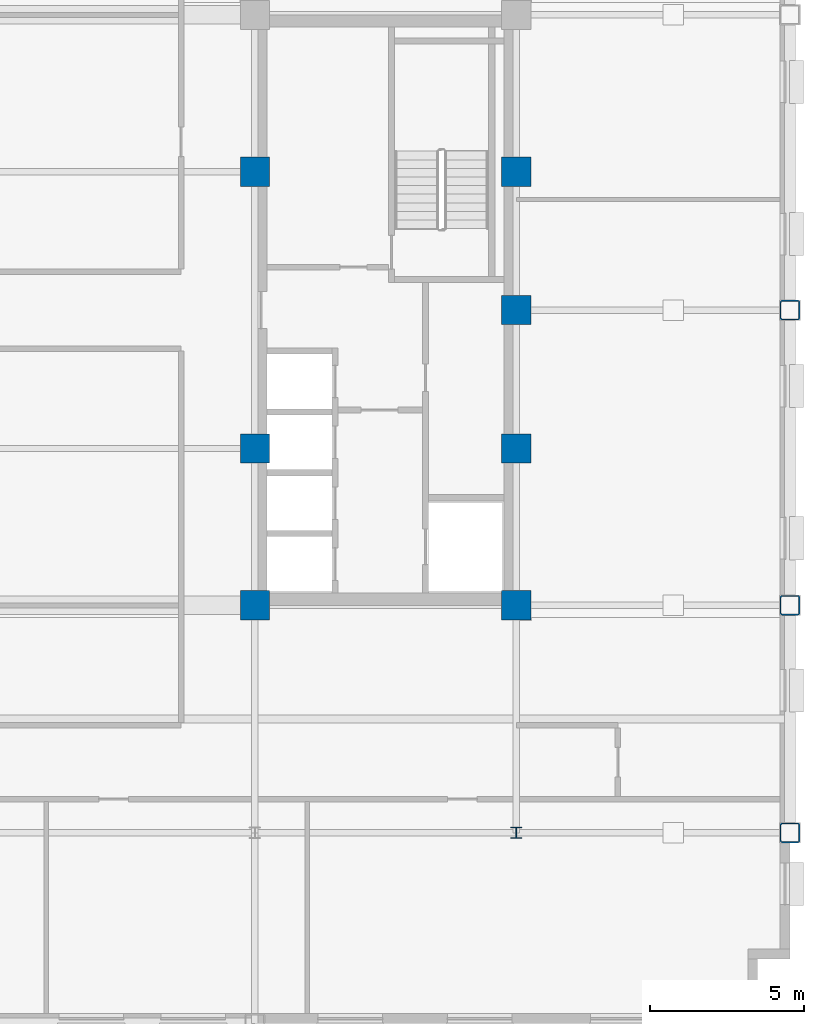
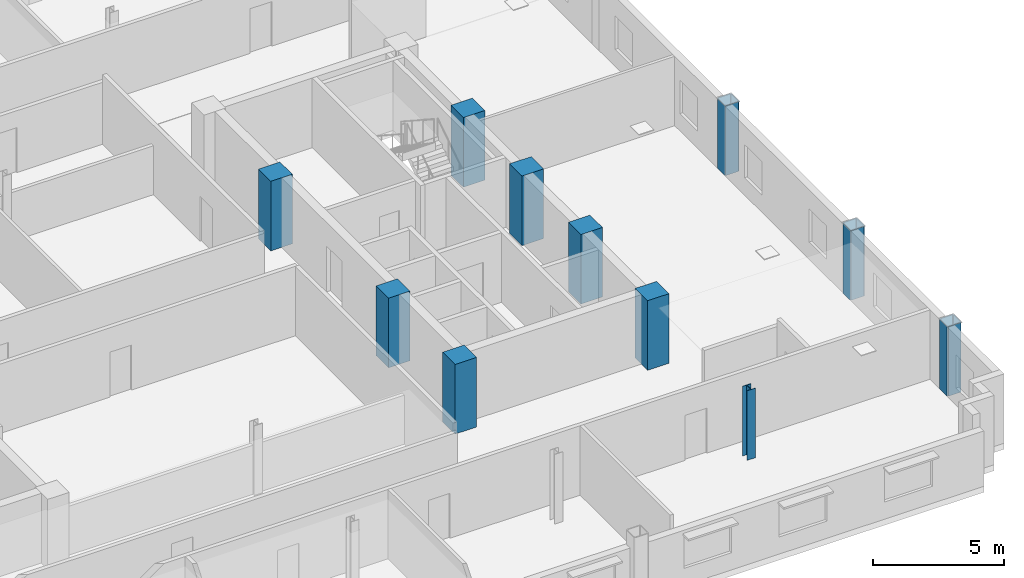
# One storey, part 2 of 14: 11 columns.
"""IFC4 building model written with IfcOpenShell, lengths in metres."""

from ifc_helpers import new_model, si_unit, direction, frame, origin, origin_2d, place, context, subcontext, project, spatial, rectangle, hollow_rectangle, i_section, extrude, material, material_profile, profile_set, type_object, element, save


model = new_model("IFC4")

# Units and contexts
model_context = context("Model", 3, precision=1e-05, world=origin(), true_north=direction((0.0, 1.0)))
body_context = subcontext(model_context, "Body", "Model", "MODEL_VIEW")
ifc_project = project(units=[si_unit("LENGTHUNIT", "METRE"), si_unit("AREAUNIT", "SQUARE_METRE"), si_unit("VOLUMEUNIT", "CUBIC_METRE"), si_unit("PLANEANGLEUNIT", "RADIAN"), si_unit("MASSUNIT", "GRAM", prefix="KILO")], contexts=[model_context])

# Site, building, storey
site_placement = place(None, origin())
site = spatial("IfcSite", under=ifc_project, at=site_placement, CompositionType="ELEMENT")
building_placement = place(site_placement, origin())
building = spatial("IfcBuilding", under=site, at=building_placement, Name="Nuvemarco Arch Tower", CompositionType="ELEMENT")
storey_placement = place(building_placement, frame((0.0, 0.0, 164.0)))
storey = spatial("IfcBuildingStorey", under=building, at=storey_placement, Name="L43", CompositionType="ELEMENT", Elevation=164.0)

# Columns
ifc_material_1 = material(Name="Concrete C50/60", Category="concrete")
ifc_material_profile_1 = material_profile(ifc_material_1, rectangle(XDim=0.949951171875, YDim=0.949951171875, at=origin_2d()), Name="RC-COL-950x950")
ifc_profile_set_1 = profile_set([ifc_material_profile_1], Name="Concrete C50/60")
column_type_1 = type_object("IfcColumnType", Name="COL-CORE-950", PredefinedType="COLUMN", material=ifc_profile_set_1)
for number, where, z_axis, x_axis, name in (
    (1, (9.0, -9.60009765625, 0.0), (0.0, 0.0, 1.0), (1.0, 0.0, 0.0), "L43 column CC_+9.0_-9.6"),
    (2, (9.0, -4.5, 0.0), (0.0, 0.0, 1.0), (1.0, 0.0, 0.0), "L43 column CC_+9.0_-4.5"),
    (3, (9.0, 4.5, 0.0), (0.0, 0.0, 1.0), (1.0, 0.0, 0.0), "L43 column CC_+9.0_+4.5"),
    (4, (17.5, -9.60009765625, 0.0), (0.0, 0.0, 1.0), (1.0, 0.0, 0.0), "L43 column CC_+17.5_-9.6"),
    (5, (17.5, -4.5, 0.0), (0.0, 0.0, 1.0), (1.0, 0.0, 0.0), "L43 column CC_+17.5_-4.5"),
    (6, (17.5, 4.5, 0.0), (0.0, 0.0, 1.0), (1.0, 0.0, 0.0), "L43 column CC_+17.5_+4.5"),
    (7, (17.5, 0.0, 0.0), (0.0, 0.0, 1.0), (1.0, 0.0, 0.0), "L43 column CC_+17.5_+0.0"),
):
    element("IfcColumn", number, at=place(storey_placement, frame(where, z_axis=z_axis, x_axis=x_axis)), inside=storey, type_object=column_type_1, Name=name, PredefinedType="COLUMN", context=body_context, shape_type="SweptSolid", body=[
        extrude(rectangle(XDim=0.949951171875, YDim=0.949951171875, at=origin_2d()), origin(), (0.0, 0.0, 1.0), 3.25),
    ])
ifc_material_2 = material(Name="Steel S355", Category="steel")
ifc_material_profile_2 = material_profile(ifc_material_2, hollow_rectangle(XDim=0.64990234375, YDim=0.64990234375, WallThickness=0.0400390625, InnerFilletRadius=0.0400390625, OuterFilletRadius=0.080078125, at=origin_2d()), Name="SHS650x650x40")
ifc_profile_set_2 = profile_set([ifc_material_profile_2], Name="Steel S355")
column_type_2 = type_object("IfcColumnType", Name="COL-EXO-650", PredefinedType="COLUMN", material=ifc_profile_set_2)
for number, where, z_axis, x_axis, name in (
    (8, (26.39990234375, -17.0, 0.0), (0.0, 0.0, 1.0), (1.0, 0.0, 0.0), "L43 column CX_+26.4_-17.0"),
    (9, (26.39990234375, -9.60009765625, 0.0), (0.0, 0.0, 1.0), (1.0, 0.0, 0.0), "L43 column CX_+26.4_-9.6"),
    (10, (26.39990234375, 0.0, 0.0), (0.0, 0.0, 1.0), (1.0, 0.0, 0.0), "L43 column CX_+26.4_+0.0"),
):
    element("IfcColumn", number, at=place(storey_placement, frame(where, z_axis=z_axis, x_axis=x_axis)), inside=storey, type_object=column_type_2, Name=name, PredefinedType="COLUMN", context=body_context, shape_type="SweptSolid", body=[
        extrude(hollow_rectangle(XDim=0.64990234375, YDim=0.64990234375, WallThickness=0.0400390625, InnerFilletRadius=0.0400390625, OuterFilletRadius=0.080078125, at=origin_2d()), origin(), (0.0, 0.0, 1.0), 3.25),
    ])
ifc_material_profile_3 = material_profile(ifc_material_2, i_section(OverallWidth=0.360107421875, OverallDepth=0.360107421875, WebThickness=0.0205078125, FlangeThickness=0.0205078125, FilletRadius=0.01806640625, at=origin_2d()), Name="HP360x174")
ifc_profile_set_3 = profile_set([ifc_material_profile_3], Name="Steel S355")
column_type_3 = type_object("IfcColumnType", Name="COL-STL-HP360", PredefinedType="COLUMN", material=ifc_profile_set_3)
column_placement = place(storey_placement, frame((17.5, -17.0, 0.0), z_axis=(0.0, 0.0, 1.0), x_axis=(1.0, 0.0, 0.0)))
element("IfcColumn", 11, at=column_placement, inside=storey, type_object=column_type_3, Name="L43 column CI_+17.5_-17.0", PredefinedType="COLUMN", context=body_context, shape_type="SweptSolid", body=[
    extrude(i_section(OverallWidth=0.360107421875, OverallDepth=0.360107421875, WebThickness=0.0205078125, FlangeThickness=0.0205078125, FilletRadius=0.01806640625, at=origin_2d()), origin(), (0.0, 0.0, 1.0), 3.25),
])

save(model, "model.ifc")
